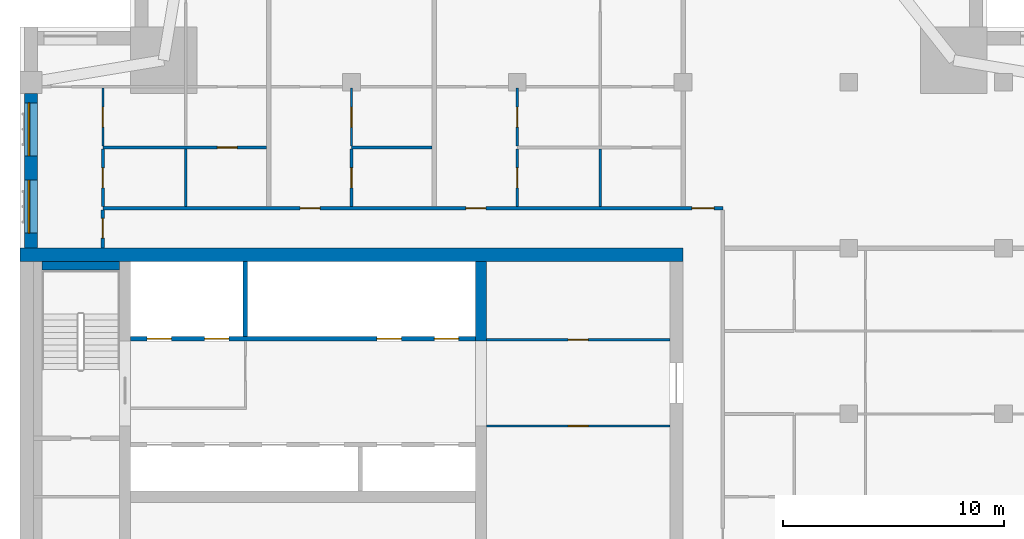
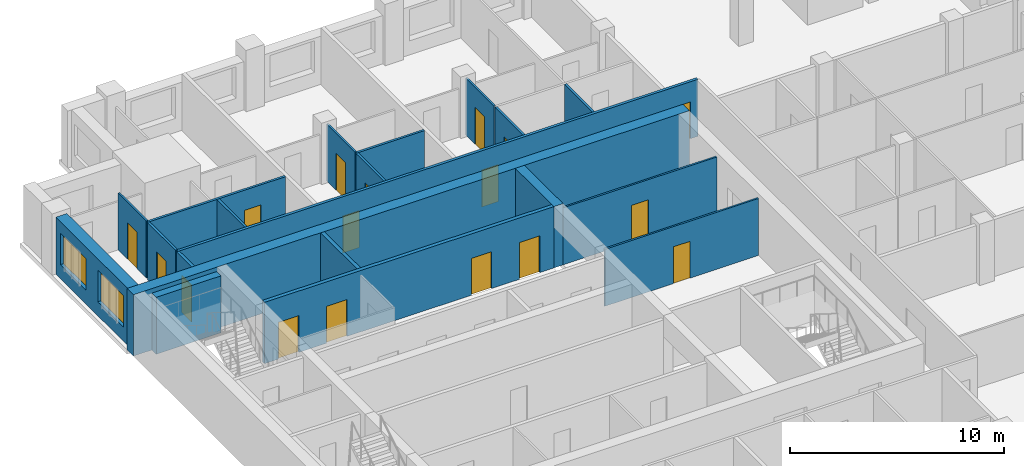
# One storey, part 6 of 10: 20 walls, 17 doors, 2 windows, 19 openings.
"""IFC4 building model written with IfcOpenShell, lengths in metres."""

from ifc_helpers import new_model, si_unit, direction, frame, frame_2d, origin, place, context, subcontext, project, spatial, rectangle, extrude, material, layer, layer_set, type_object, element, fill, save


model = new_model("IFC4")

# Units and contexts
model_context = context("Model", 3, precision=1e-05, world=origin(), true_north=direction((0.0, 1.0)))
body_context = subcontext(model_context, "Body", "Model", "MODEL_VIEW")
ifc_project = project(units=[si_unit("LENGTHUNIT", "METRE"), si_unit("AREAUNIT", "SQUARE_METRE"), si_unit("VOLUMEUNIT", "CUBIC_METRE"), si_unit("PLANEANGLEUNIT", "RADIAN"), si_unit("MASSUNIT", "GRAM", prefix="KILO")], contexts=[model_context])

# Site, building, storey
site_placement = place(None, origin())
site = spatial("IfcSite", under=ifc_project, at=site_placement, CompositionType="ELEMENT")
building_placement = place(site_placement, origin())
building = spatial("IfcBuilding", under=site, at=building_placement, Name="Tamorin Gate", CompositionType="ELEMENT")
storey_placement = place(building_placement, frame((0.0, 0.0, 223.199951171875)))
storey = spatial("IfcBuildingStorey", under=building, at=storey_placement, Name="L55", CompositionType="ELEMENT", Elevation=223.199951171875)

# Wall, openings, windows
ifc_material_1 = material(Name="Precast concrete C40/50", Category="concrete")
ifc_layer_1 = layer(ifc_material_1, 0.60009765625)
ifc_layer_set_1 = layer_set([ifc_layer_1], Name="Precast concrete C40/50")
wall_type_1 = type_object("IfcWallType", Name="Board-marked concrete facade panel 600", PredefinedType="SOLIDWALL", material=ifc_layer_set_1)
wall_1_placement = place(storey_placement, frame((30.5, 89.5, 0.0), z_axis=(0.0, 0.0, 1.0), x_axis=(0.0, -1.0, 0.0)))
wall_1 = element("IfcWall", 1, at=wall_1_placement, inside=storey, type_object=wall_type_1, Name="Facade panel", PredefinedType="SOLIDWALL", context=body_context, shape_type="SweptSolid", body=[
    extrude(rectangle(XDim=7.0, YDim=0.60009765625, at=frame_2d((3.5, 0.0))), origin(), (0.0, 0.0, 1.0), 3.25),
])
opening_1_placement = place(wall_1_placement, frame((3.925048828125, 0.0, 0.800048828125)))
opening_1 = element("IfcOpeningElement", 2, at=opening_1_placement, cuts=wall_1, Name="Opening WN1", PredefinedType="OPENING", context=body_context, shape_type="SweptSolid", body=[
    extrude(rectangle(XDim=2.39990234375, YDim=1.800048828125, at=frame_2d((1.199951171875, 0.89990234375))), frame((0.0, 0.31005859375, 0.0), z_axis=(0.0, -1.0, 0.0), x_axis=(1.0, 0.0, 0.0)), (0.0, 0.0, 1.0), 0.6201171875),
])
opening_2_placement = place(wall_1_placement, frame((0.425048828125, 0.0, 0.800048828125)))
opening_2 = element("IfcOpeningElement", 3, at=opening_2_placement, cuts=wall_1, Name="Opening WN1", PredefinedType="OPENING", context=body_context, shape_type="SweptSolid", body=[
    extrude(rectangle(XDim=2.39990234375, YDim=1.800048828125, at=frame_2d((1.199951171875, 0.89990234375))), frame((0.0, 0.31005859375, 0.0), z_axis=(0.0, -1.0, 0.0), x_axis=(1.0, 0.0, 0.0)), (0.0, 0.0, 1.0), 0.6201171875),
])
ifc_material_2 = material(Name="Clear glass in aluminium frame", Category="aluminium")
window_type = type_object("IfcWindowType", Name="Deep-set window 2400x1800", PartitioningType="SINGLE_PANEL", PredefinedType="WINDOW", material=ifc_material_2)
window_1_placement = place(opening_1_placement, origin())
window_1 = element("IfcWindow", 4, at=window_1_placement, inside=storey, type_object=window_type, Name="Deep-set window", OverallHeight=1.800048828125, OverallWidth=2.39990234375, PartitioningType="SINGLE_PANEL", PredefinedType="WINDOW", context=body_context, shape_type="SweptSolid", body=[
    extrude(rectangle(XDim=2.39990234375, YDim=1.800048828125, at=frame_2d((1.199951171875, 0.89990234375))), frame((0.0, -0.070068359375, 0.0), z_axis=(0.0, -1.0, 0.0), x_axis=(1.0, 0.0, 0.0)), (0.0, 0.0, 1.0), 0.06005859375),
])
fill(opening_1, window_1)
window_2_placement = place(opening_2_placement, origin())
window_2 = element("IfcWindow", 5, at=window_2_placement, inside=storey, type_object=window_type, Name="Deep-set window", OverallHeight=1.800048828125, OverallWidth=2.39990234375, PartitioningType="SINGLE_PANEL", PredefinedType="WINDOW", context=body_context, shape_type="SweptSolid", body=[
    extrude(rectangle(XDim=2.39990234375, YDim=1.800048828125, at=frame_2d((1.199951171875, 0.89990234375))), frame((0.0, -0.070068359375, 0.0), z_axis=(0.0, -1.0, 0.0), x_axis=(1.0, 0.0, 0.0)), (0.0, 0.0, 1.0), 0.06005859375),
])
fill(opening_2, window_2)

# Wall, openings, doors
ifc_material_3 = material(Name="Gypsum board partition")
ifc_layer_2 = layer(ifc_material_3, 0.14990234375)
ifc_layer_set_2 = layer_set([ifc_layer_2], Name="Corridor wall 150")
wall_type_2 = type_object("IfcWallType", Name="Corridor wall 150", PredefinedType="PARTITIONING", material=ifc_layer_set_2)
wall_2_placement = place(storey_placement, frame((33.75, 84.300048828125, 0.0), z_axis=(0.0, 0.0, 1.0), x_axis=(1.0, 0.0, 0.0)))
wall_2 = element("IfcWall", 6, at=wall_2_placement, inside=storey, type_object=wall_type_2, Name="Corridor wall 150", PredefinedType="PARTITIONING", context=body_context, shape_type="SweptSolid", body=[
    extrude(rectangle(XDim=28.050048828125, YDim=0.14990234375, at=frame_2d((14.02490234375, 0.0))), origin(), (0.0, 0.0, 1.0), 3.25),
])
opening_3_placement = place(wall_2_placement, frame((8.925048828125, 0.0, 0.0)))
opening_3 = element("IfcOpeningElement", 7, at=opening_3_placement, cuts=wall_2, Name="Opening DR5029", PredefinedType="OPENING", context=body_context, shape_type="SweptSolid", body=[
    extrude(rectangle(XDim=0.89990234375, YDim=2.10009765625, at=frame_2d((0.449951171875, 1.050048828125))), frame((0.0, 0.0849609375, 0.0), z_axis=(0.0, -1.0, 0.0), x_axis=(1.0, 0.0, 0.0)), (0.0, 0.0, 1.0), 0.169921875),
])
opening_4_placement = place(wall_2_placement, frame((16.425048828125, 0.0, 0.0)))
opening_4 = element("IfcOpeningElement", 8, at=opening_4_placement, cuts=wall_2, Name="Opening DR5033", PredefinedType="OPENING", context=body_context, shape_type="SweptSolid", body=[
    extrude(rectangle(XDim=0.89990234375, YDim=2.10009765625, at=frame_2d((0.449951171875, 1.050048828125))), frame((0.0, 0.0849609375, 0.0), z_axis=(0.0, -1.0, 0.0), x_axis=(1.0, 0.0, 0.0)), (0.0, 0.0, 1.0), 0.169921875),
])
opening_5_placement = place(wall_2_placement, frame((26.64990234375, 0.0, 0.0)))
opening_5 = element("IfcOpeningElement", 9, at=opening_5_placement, cuts=wall_2, Name="Opening DR5040", PredefinedType="OPENING", context=body_context, shape_type="SweptSolid", body=[
    extrude(rectangle(XDim=1.0, YDim=2.10009765625, at=frame_2d((0.5, 1.050048828125))), frame((0.0, 0.0849609375, 0.0), z_axis=(0.0, -1.0, 0.0), x_axis=(1.0, 0.0, 0.0)), (0.0, 0.0, 1.0), 0.169921875),
])
ifc_material_4 = material(Name="Timber door leaf", Category="wood")
door_type_1 = type_object("IfcDoorType", Name="Door 1000 x 2100 FD30S", OperationType="NOTDEFINED", PredefinedType="DOOR", material=ifc_material_4)
door_1_placement = place(opening_5_placement, origin())
door_1 = element("IfcDoor", 10, at=door_1_placement, inside=storey, type_object=door_type_1, Name="Door DR5040", OperationType="SINGLE_SWING_LEFT", OverallHeight=2.10009765625, OverallWidth=1.0, PredefinedType="DOOR", context=body_context, shape_type="SweptSolid", body=[
    extrude(rectangle(XDim=1.0, YDim=2.10009765625, at=frame_2d((0.5, 1.050048828125))), frame((0.0, 0.02490234375, 0.0), z_axis=(0.0, -1.0, 0.0), x_axis=(1.0, 0.0, 0.0)), (0.0, 0.0, 1.0), 0.050048828125),
])
fill(opening_5, door_1)
door_type_2 = type_object("IfcDoorType", Name="Door 900 x 2100 FD30S", OperationType="NOTDEFINED", PredefinedType="DOOR", material=ifc_material_4)
door_2_placement = place(opening_3_placement, origin())
door_2 = element("IfcDoor", 11, at=door_2_placement, inside=storey, type_object=door_type_2, Name="Door DR5029", OperationType="SINGLE_SWING_LEFT", OverallHeight=2.10009765625, OverallWidth=0.89990234375, PredefinedType="DOOR", context=body_context, shape_type="SweptSolid", body=[
    extrude(rectangle(XDim=0.89990234375, YDim=2.10009765625, at=frame_2d((0.449951171875, 1.050048828125))), frame((0.0, 0.02490234375, 0.0), z_axis=(0.0, -1.0, 0.0), x_axis=(1.0, 0.0, 0.0)), (0.0, 0.0, 1.0), 0.050048828125),
])
fill(opening_3, door_2)
door_3_placement = place(opening_4_placement, origin())
door_3 = element("IfcDoor", 12, at=door_3_placement, inside=storey, type_object=door_type_2, Name="Door DR5033", OperationType="SINGLE_SWING_LEFT", OverallHeight=2.10009765625, OverallWidth=0.89990234375, PredefinedType="DOOR", context=body_context, shape_type="SweptSolid", body=[
    extrude(rectangle(XDim=0.89990234375, YDim=2.10009765625, at=frame_2d((0.449951171875, 1.050048828125))), frame((0.0, 0.02490234375, 0.0), z_axis=(0.0, -1.0, 0.0), x_axis=(1.0, 0.0, 0.0)), (0.0, 0.0, 1.0), 0.050048828125),
])
fill(opening_4, door_3)

# Wall, opening, door
wall_3_placement = place(storey_placement, frame((33.75, 82.5, 0.0), z_axis=(0.0, 0.0, 1.0), x_axis=(0.0, 1.0, 0.0)))
wall_3 = element("IfcWall", 13, at=wall_3_placement, inside=storey, type_object=wall_type_2, Name="Corridor wall 150", PredefinedType="PARTITIONING", context=body_context, shape_type="SweptSolid", body=[
    extrude(rectangle(XDim=1.72509765625, YDim=0.14990234375, at=frame_2d((0.862548828125, 0.0))), origin(), (0.0, 0.0, 1.0), 3.25),
])
opening_6_placement = place(wall_3_placement, frame((0.449951171875, 0.0, 0.0)))
opening_6 = element("IfcOpeningElement", 14, at=opening_6_placement, cuts=wall_3, Name="Opening DR5022", PredefinedType="OPENING", context=body_context, shape_type="SweptSolid", body=[
    extrude(rectangle(XDim=0.89990234375, YDim=2.10009765625, at=frame_2d((0.449951171875, 1.050048828125))), frame((0.0, 0.0849609375, 0.0), z_axis=(0.0, -1.0, 0.0), x_axis=(1.0, 0.0, 0.0)), (0.0, 0.0, 1.0), 0.169921875),
])
door_4_placement = place(opening_6_placement, origin())
door_4 = element("IfcDoor", 15, at=door_4_placement, inside=storey, type_object=door_type_2, Name="Door DR5022", OperationType="SINGLE_SWING_LEFT", OverallHeight=2.10009765625, OverallWidth=0.89990234375, PredefinedType="DOOR", context=body_context, shape_type="SweptSolid", body=[
    extrude(rectangle(XDim=0.89990234375, YDim=2.10009765625, at=frame_2d((0.449951171875, 1.050048828125))), frame((0.0, 0.02490234375, 0.0), z_axis=(0.0, -1.0, 0.0), x_axis=(1.0, 0.0, 0.0)), (0.0, 0.0, 1.0), 0.050048828125),
])
fill(opening_6, door_4)

# Wall, openings, doors
ifc_material_5 = material(Name="Concrete C32/40", Category="concrete")
ifc_layer_3 = layer(ifc_material_5, 0.199951171875)
ifc_layer_set_3 = layer_set([ifc_layer_3], Name="Lift lobby face wall 200 EI 120")
wall_type_3 = type_object("IfcWallType", Name="Lift lobby face wall 200 EI 120", PredefinedType="SOLIDWALL", material=ifc_layer_set_3)
wall_4_placement = place(storey_placement, frame((35.0, 78.39990234375, 0.0), z_axis=(0.0, 0.0, 1.0), x_axis=(1.0, 0.0, 0.0)))
wall_4 = element("IfcWall", 16, at=wall_4_placement, inside=storey, type_object=wall_type_3, Name="Lift lobby face wall", PredefinedType="SOLIDWALL", context=body_context, shape_type="SweptSolid", body=[
    extrude(rectangle(XDim=15.60009765625, YDim=0.199951171875, at=frame_2d((7.800048828125, 0.0))), origin(), (0.0, 0.0, 1.0), 3.5),
])
opening_7_placement = place(wall_4_placement, frame((0.75, 0.0, 0.0)))
opening_7 = element("IfcOpeningElement", 17, at=opening_7_placement, cuts=wall_4, Name="Opening LD17", PredefinedType="OPENING", context=body_context, shape_type="SweptSolid", body=[
    extrude(rectangle(XDim=1.10009765625, YDim=2.10009765625, at=frame_2d((0.550048828125, 1.050048828125))), frame((0.0, 0.10986328125, 0.0), z_axis=(0.0, -1.0, 0.0), x_axis=(1.0, 0.0, 0.0)), (0.0, 0.0, 1.0), 0.219970703125),
])
opening_8_placement = place(wall_4_placement, frame((3.35009765625, 0.0, 0.0)))
opening_8 = element("IfcOpeningElement", 18, at=opening_8_placement, cuts=wall_4, Name="Opening LD18", PredefinedType="OPENING", context=body_context, shape_type="SweptSolid", body=[
    extrude(rectangle(XDim=1.10009765625, YDim=2.10009765625, at=frame_2d((0.550048828125, 1.050048828125))), frame((0.0, 0.10986328125, 0.0), z_axis=(0.0, -1.0, 0.0), x_axis=(1.0, 0.0, 0.0)), (0.0, 0.0, 1.0), 0.219970703125),
])
opening_9_placement = place(wall_4_placement, frame((11.14990234375, 0.0, 0.0)))
opening_9 = element("IfcOpeningElement", 19, at=opening_9_placement, cuts=wall_4, Name="Opening LD21", PredefinedType="OPENING", context=body_context, shape_type="SweptSolid", body=[
    extrude(rectangle(XDim=1.10009765625, YDim=2.10009765625, at=frame_2d((0.550048828125, 1.050048828125))), frame((0.0, 0.10986328125, 0.0), z_axis=(0.0, -1.0, 0.0), x_axis=(1.0, 0.0, 0.0)), (0.0, 0.0, 1.0), 0.219970703125),
])
opening_10_placement = place(wall_4_placement, frame((13.75, 0.0, 0.0)))
opening_10 = element("IfcOpeningElement", 20, at=opening_10_placement, cuts=wall_4, Name="Opening LD22", PredefinedType="OPENING", context=body_context, shape_type="SweptSolid", body=[
    extrude(rectangle(XDim=1.10009765625, YDim=2.10009765625, at=frame_2d((0.550048828125, 1.050048828125))), frame((0.0, 0.10986328125, 0.0), z_axis=(0.0, -1.0, 0.0), x_axis=(1.0, 0.0, 0.0)), (0.0, 0.0, 1.0), 0.219970703125),
])
ifc_material_6 = material(Name="Stainless steel sliding door", Category="steel")
door_type_3 = type_object("IfcDoorType", Name="Lift landing door 1100 x 2100 E 90", OperationType="DOUBLE_DOOR_SLIDING", PredefinedType="DOOR", material=ifc_material_6)
door_5_placement = place(opening_7_placement, origin())
door_5 = element("IfcDoor", 21, at=door_5_placement, inside=storey, type_object=door_type_3, Name="FF1 landing door", OperationType="DOUBLE_DOOR_SLIDING", OverallHeight=2.10009765625, OverallWidth=1.10009765625, PredefinedType="DOOR", context=body_context, shape_type="SweptSolid", body=[
    extrude(rectangle(XDim=1.10009765625, YDim=2.10009765625, at=frame_2d((0.550048828125, 1.050048828125))), frame((0.0, 0.02490234375, 0.0), z_axis=(0.0, -1.0, 0.0), x_axis=(1.0, 0.0, 0.0)), (0.0, 0.0, 1.0), 0.050048828125),
])
fill(opening_7, door_5)
door_6_placement = place(opening_8_placement, origin())
door_6 = element("IfcDoor", 22, at=door_6_placement, inside=storey, type_object=door_type_3, Name="FF2 landing door", OperationType="DOUBLE_DOOR_SLIDING", OverallHeight=2.10009765625, OverallWidth=1.10009765625, PredefinedType="DOOR", context=body_context, shape_type="SweptSolid", body=[
    extrude(rectangle(XDim=1.10009765625, YDim=2.10009765625, at=frame_2d((0.550048828125, 1.050048828125))), frame((0.0, 0.02490234375, 0.0), z_axis=(0.0, -1.0, 0.0), x_axis=(1.0, 0.0, 0.0)), (0.0, 0.0, 1.0), 0.050048828125),
])
fill(opening_8, door_6)
door_7_placement = place(opening_9_placement, origin())
door_7 = element("IfcDoor", 23, at=door_7_placement, inside=storey, type_object=door_type_3, Name="SV1 landing door", OperationType="DOUBLE_DOOR_SLIDING", OverallHeight=2.10009765625, OverallWidth=1.10009765625, PredefinedType="DOOR", context=body_context, shape_type="SweptSolid", body=[
    extrude(rectangle(XDim=1.10009765625, YDim=2.10009765625, at=frame_2d((0.550048828125, 1.050048828125))), frame((0.0, 0.02490234375, 0.0), z_axis=(0.0, -1.0, 0.0), x_axis=(1.0, 0.0, 0.0)), (0.0, 0.0, 1.0), 0.050048828125),
])
fill(opening_9, door_7)
door_8_placement = place(opening_10_placement, origin())
door_8 = element("IfcDoor", 24, at=door_8_placement, inside=storey, type_object=door_type_3, Name="SV2 landing door", OperationType="DOUBLE_DOOR_SLIDING", OverallHeight=2.10009765625, OverallWidth=1.10009765625, PredefinedType="DOOR", context=body_context, shape_type="SweptSolid", body=[
    extrude(rectangle(XDim=1.10009765625, YDim=2.10009765625, at=frame_2d((0.550048828125, 1.050048828125))), frame((0.0, 0.02490234375, 0.0), z_axis=(0.0, -1.0, 0.0), x_axis=(1.0, 0.0, 0.0)), (0.0, 0.0, 1.0), 0.050048828125),
])
fill(opening_10, door_8)

# Walls
ifc_layer_4 = layer(ifc_material_5, 0.199951171875)
ifc_layer_set_4 = layer_set([ifc_layer_4], Name="Lift shaft wall 200 EI 120")
wall_type_4 = type_object("IfcWallType", Name="Lift shaft wall 200 EI 120", PredefinedType="SOLIDWALL", material=ifc_layer_set_4)
wall_5_placement = place(storey_placement, frame((40.199951171875, 78.5, 0.0), z_axis=(0.0, 0.0, 1.0), x_axis=(0.0, 1.0, 0.0)))
element("IfcWall", 25, at=wall_5_placement, inside=storey, type_object=wall_type_4, Name="Lift shaft wall", PredefinedType="SOLIDWALL", context=body_context, shape_type="SweptSolid", body=[
    extrude(rectangle(XDim=3.39990234375, YDim=0.199951171875, at=frame_2d((1.699951171875, 0.0))), origin(), (0.0, 0.0, 1.0), 3.5),
])
ifc_material_7 = material(Name="Concrete C50/60", Category="concrete")
ifc_layer_5 = layer(ifc_material_7, 0.5)
ifc_layer_set_5 = layer_set([ifc_layer_5], Name="RC core internal wall 500 C50/60")
wall_type_5 = type_object("IfcWallType", Name="RC core internal wall 500 C50/60", PredefinedType="SHEAR", material=ifc_layer_set_5)
wall_6_placement = place(storey_placement, frame((50.85009765625, 78.300048828125, 0.0), z_axis=(0.0, 0.0, 1.0), x_axis=(0.0, 1.0, 0.0)))
element("IfcWall", 26, at=wall_6_placement, inside=storey, type_object=wall_type_5, Name="Core cross wall L55", PredefinedType="SHEAR", context=body_context, shape_type="SweptSolid", body=[
    extrude(rectangle(XDim=3.599853515625, YDim=0.5, at=frame_2d((1.7998046875, 0.0))), origin(), (0.0, 0.0, 1.0), 3.5),
])
ifc_layer_6 = layer(ifc_material_7, 0.60009765625)
ifc_layer_set_6 = layer_set([ifc_layer_6], Name="RC core wall 600 C50/60")
wall_type_6 = type_object("IfcWallType", Name="RC core wall 600 C50/60", PredefinedType="SHEAR", material=ifc_layer_set_6)
wall_7_placement = place(storey_placement, frame((30.0, 82.199951171875, 0.0), z_axis=(0.0, 0.0, 1.0), x_axis=(1.0, 0.0, 0.0)))
element("IfcWall", 27, at=wall_7_placement, inside=storey, type_object=wall_type_6, Name="Core wall L55", PredefinedType="SHEAR", context=body_context, shape_type="SweptSolid", body=[
    extrude(rectangle(XDim=30.0, YDim=0.60009765625, at=frame_2d((15.0, 0.0))), origin(), (0.0, 0.0, 1.0), 3.5),
])

# Wall, opening, door
ifc_layer_7 = layer(ifc_material_3, 0.10009765625)
ifc_layer_set_7 = layer_set([ifc_layer_7], Name="Room partition 100")
wall_type_7 = type_object("IfcWallType", Name="Room partition 100", PredefinedType="PARTITIONING", material=ifc_layer_set_7)
wall_8_placement = place(storey_placement, frame((33.75, 87.112548828125, 0.0), z_axis=(0.0, 0.0, 1.0), x_axis=(0.0, 1.0, 0.0)))
wall_8 = element("IfcWall", 28, at=wall_8_placement, inside=storey, type_object=wall_type_7, Name="Room partition 100", PredefinedType="PARTITIONING", context=body_context, shape_type="SweptSolid", body=[
    extrude(rectangle(XDim=2.637451171875, YDim=0.10009765625, at=frame_2d((1.31884765625, 0.0))), origin(), (0.0, 0.0, 1.0), 3.25),
])
opening_11_placement = place(wall_8_placement, frame((0.862548828125, 0.0, 0.0)))
opening_11 = element("IfcOpeningElement", 29, at=opening_11_placement, cuts=wall_8, Name="Opening DR5024", PredefinedType="OPENING", context=body_context, shape_type="SweptSolid", body=[
    extrude(rectangle(XDim=0.89990234375, YDim=2.10009765625, at=frame_2d((0.449951171875, 1.050048828125))), frame((0.0, 0.06005859375, 0.0), z_axis=(0.0, -1.0, 0.0), x_axis=(1.0, 0.0, 0.0)), (0.0, 0.0, 1.0), 0.1201171875),
])
door_type_4 = type_object("IfcDoorType", Name="Door 900 x 2100", OperationType="NOTDEFINED", PredefinedType="DOOR", material=ifc_material_4)
door_9_placement = place(opening_11_placement, origin())
door_9 = element("IfcDoor", 30, at=door_9_placement, inside=storey, type_object=door_type_4, Name="Door DR5024", OperationType="SINGLE_SWING_RIGHT", OverallHeight=2.10009765625, OverallWidth=0.89990234375, PredefinedType="DOOR", context=body_context, shape_type="SweptSolid", body=[
    extrude(rectangle(XDim=0.89990234375, YDim=2.10009765625, at=frame_2d((0.449951171875, 1.050048828125))), frame((0.0, 0.02490234375, 0.0), z_axis=(0.0, -1.0, 0.0), x_axis=(1.0, 0.0, 0.0)), (0.0, 0.0, 1.0), 0.050048828125),
])
fill(opening_11, door_9)

wall_9_placement = place(storey_placement, frame((45.0, 87.112548828125, 0.0), z_axis=(0.0, 0.0, 1.0), x_axis=(0.0, 1.0, 0.0)))
wall_9 = element("IfcWall", 31, at=wall_9_placement, inside=storey, type_object=wall_type_7, Name="Room partition 100", PredefinedType="PARTITIONING", context=body_context, shape_type="SweptSolid", body=[
    extrude(rectangle(XDim=2.637451171875, YDim=0.10009765625, at=frame_2d((1.31884765625, 0.0))), origin(), (0.0, 0.0, 1.0), 3.25),
])
opening_12_placement = place(wall_9_placement, frame((0.862548828125, 0.0, 0.0)))
opening_12 = element("IfcOpeningElement", 32, at=opening_12_placement, cuts=wall_9, Name="Opening DR5031", PredefinedType="OPENING", context=body_context, shape_type="SweptSolid", body=[
    extrude(rectangle(XDim=0.89990234375, YDim=2.10009765625, at=frame_2d((0.449951171875, 1.050048828125))), frame((0.0, 0.06005859375, 0.0), z_axis=(0.0, -1.0, 0.0), x_axis=(1.0, 0.0, 0.0)), (0.0, 0.0, 1.0), 0.1201171875),
])
door_10_placement = place(opening_12_placement, origin())
door_10 = element("IfcDoor", 33, at=door_10_placement, inside=storey, type_object=door_type_4, Name="Door DR5031", OperationType="SINGLE_SWING_RIGHT", OverallHeight=2.10009765625, OverallWidth=0.89990234375, PredefinedType="DOOR", context=body_context, shape_type="SweptSolid", body=[
    extrude(rectangle(XDim=0.89990234375, YDim=2.10009765625, at=frame_2d((0.449951171875, 1.050048828125))), frame((0.0, 0.02490234375, 0.0), z_axis=(0.0, -1.0, 0.0), x_axis=(1.0, 0.0, 0.0)), (0.0, 0.0, 1.0), 0.050048828125),
])
fill(opening_12, door_10)

wall_10_placement = place(storey_placement, frame((52.5, 87.112548828125, 0.0), z_axis=(0.0, 0.0, 1.0), x_axis=(0.0, 1.0, 0.0)))
wall_10 = element("IfcWall", 34, at=wall_10_placement, inside=storey, type_object=wall_type_7, Name="Room partition 100", PredefinedType="PARTITIONING", context=body_context, shape_type="SweptSolid", body=[
    extrude(rectangle(XDim=2.637451171875, YDim=0.10009765625, at=frame_2d((1.31884765625, 0.0))), origin(), (0.0, 0.0, 1.0), 3.25),
])
opening_13_placement = place(wall_10_placement, frame((0.862548828125, 0.0, 0.0)))
opening_13 = element("IfcOpeningElement", 35, at=opening_13_placement, cuts=wall_10, Name="Opening DR5035", PredefinedType="OPENING", context=body_context, shape_type="SweptSolid", body=[
    extrude(rectangle(XDim=0.89990234375, YDim=2.10009765625, at=frame_2d((0.449951171875, 1.050048828125))), frame((0.0, 0.06005859375, 0.0), z_axis=(0.0, -1.0, 0.0), x_axis=(1.0, 0.0, 0.0)), (0.0, 0.0, 1.0), 0.1201171875),
])
door_11_placement = place(opening_13_placement, origin())
door_11 = element("IfcDoor", 36, at=door_11_placement, inside=storey, type_object=door_type_4, Name="Door DR5035", OperationType="SINGLE_SWING_RIGHT", OverallHeight=2.10009765625, OverallWidth=0.89990234375, PredefinedType="DOOR", context=body_context, shape_type="SweptSolid", body=[
    extrude(rectangle(XDim=0.89990234375, YDim=2.10009765625, at=frame_2d((0.449951171875, 1.050048828125))), frame((0.0, 0.02490234375, 0.0), z_axis=(0.0, -1.0, 0.0), x_axis=(1.0, 0.0, 0.0)), (0.0, 0.0, 1.0), 0.050048828125),
])
fill(opening_13, door_11)

ifc_layer_8 = layer(ifc_material_3, 0.10009765625)
ifc_layer_set_8 = layer_set([ifc_layer_8], Name="Service room partition 100 EI 60")
wall_type_8 = type_object("IfcWallType", Name="Service room partition 100 EI 60", PredefinedType="PARTITIONING", material=ifc_layer_set_8)
wall_11_placement = place(storey_placement, frame((51.10009765625, 74.449951171875, 0.0), z_axis=(0.0, 0.0, 1.0), x_axis=(1.0, 0.0, 0.0)))
wall_11 = element("IfcWall", 37, at=wall_11_placement, inside=storey, type_object=wall_type_8, Name="Service room wall", PredefinedType="PARTITIONING", context=body_context, shape_type="SweptSolid", body=[
    extrude(rectangle(XDim=8.2998046875, YDim=0.10009765625, at=frame_2d((4.14990234375, 0.0))), origin(), (0.0, 0.0, 1.0), 3.25),
])
opening_14_placement = place(wall_11_placement, frame((3.699951171875, 0.0, 0.0)))
opening_14 = element("IfcOpeningElement", 38, at=opening_14_placement, cuts=wall_11, Name="Opening DR1", PredefinedType="OPENING", context=body_context, shape_type="SweptSolid", body=[
    extrude(rectangle(XDim=0.89990234375, YDim=2.10009765625, at=frame_2d((0.449951171875, 1.050048828125))), frame((0.0, 0.06005859375, 0.0), z_axis=(0.0, -1.0, 0.0), x_axis=(1.0, 0.0, 0.0)), (0.0, 0.0, 1.0), 0.1201171875),
])
ifc_material_8 = material(Name="Steel fire door", Category="steel")
door_type_5 = type_object("IfcDoorType", Name="Riser access door 900 x 2100 EI 120", OperationType="SINGLE_SWING_LEFT", PredefinedType="DOOR", material=ifc_material_8)
door_12_placement = place(opening_14_placement, origin())
door_12 = element("IfcDoor", 39, at=door_12_placement, inside=storey, type_object=door_type_5, Name="Duct riser door", OperationType="SINGLE_SWING_LEFT", OverallHeight=2.10009765625, OverallWidth=0.89990234375, PredefinedType="DOOR", context=body_context, shape_type="SweptSolid", body=[
    extrude(rectangle(XDim=0.89990234375, YDim=2.10009765625, at=frame_2d((0.449951171875, 1.050048828125))), frame((0.0, 0.02490234375, 0.0), z_axis=(0.0, -1.0, 0.0), x_axis=(1.0, 0.0, 0.0)), (0.0, 0.0, 1.0), 0.050048828125),
])
fill(opening_14, door_12)

wall_12_placement = place(storey_placement, frame((51.10009765625, 78.35009765625, 0.0), z_axis=(0.0, 0.0, 1.0), x_axis=(1.0, 0.0, 0.0)))
wall_12 = element("IfcWall", 40, at=wall_12_placement, inside=storey, type_object=wall_type_8, Name="Service room wall", PredefinedType="PARTITIONING", context=body_context, shape_type="SweptSolid", body=[
    extrude(rectangle(XDim=8.2998046875, YDim=0.10009765625, at=frame_2d((4.14990234375, 0.0))), origin(), (0.0, 0.0, 1.0), 3.25),
])
opening_15_placement = place(wall_12_placement, frame((3.699951171875, 0.0, 0.0)))
opening_15 = element("IfcOpeningElement", 41, at=opening_15_placement, cuts=wall_12, Name="Opening DK1", PredefinedType="OPENING", context=body_context, shape_type="SweptSolid", body=[
    extrude(rectangle(XDim=0.89990234375, YDim=2.10009765625, at=frame_2d((0.449951171875, 1.050048828125))), frame((0.0, 0.06005859375, 0.0), z_axis=(0.0, -1.0, 0.0), x_axis=(1.0, 0.0, 0.0)), (0.0, 0.0, 1.0), 0.1201171875),
])
ifc_material_9 = material(Name="Timber fire door", Category="wood")
door_type_6 = type_object("IfcDoorType", Name="Service room door 900 x 2100 EI 60", OperationType="SINGLE_SWING_LEFT", PredefinedType="DOOR", material=ifc_material_9)
door_13_placement = place(opening_15_placement, origin())
door_13 = element("IfcDoor", 42, at=door_13_placement, inside=storey, type_object=door_type_6, Name="Door Store", OperationType="SINGLE_SWING_LEFT", OverallHeight=2.10009765625, OverallWidth=0.89990234375, PredefinedType="DOOR", context=body_context, shape_type="SweptSolid", body=[
    extrude(rectangle(XDim=0.89990234375, YDim=2.10009765625, at=frame_2d((0.449951171875, 1.050048828125))), frame((0.0, 0.02490234375, 0.0), z_axis=(0.0, -1.0, 0.0), x_axis=(1.0, 0.0, 0.0)), (0.0, 0.0, 1.0), 0.050048828125),
])
fill(opening_15, door_13)

# Wall
ifc_layer_9 = layer(ifc_material_7, 0.39990234375)
ifc_layer_set_9 = layer_set([ifc_layer_9], Name="Stair lining wall 400 EI 120 C50/60")
wall_type_9 = type_object("IfcWallType", Name="Stair lining wall 400 EI 120 C50/60", PredefinedType="SOLIDWALL", material=ifc_layer_set_9)
wall_13_placement = place(storey_placement, frame((31.0, 81.699951171875, 0.0), z_axis=(0.0, 0.0, 1.0), x_axis=(1.0, 0.0, 0.0)))
element("IfcWall", 43, at=wall_13_placement, inside=storey, type_object=wall_type_9, Name="Stair lining wall", PredefinedType="SOLIDWALL", context=body_context, shape_type="SweptSolid", body=[
    extrude(rectangle(XDim=3.5, YDim=0.39990234375, at=frame_2d((1.75, 0.0))), origin(), (0.0, 0.0, 1.0), 3.25),
])

# Wall, opening, door
ifc_layer_10 = layer(ifc_material_3, 0.125)
ifc_layer_set_10 = layer_set([ifc_layer_10], Name="Wet wall 125")
wall_type_10 = type_object("IfcWallType", Name="Wet wall 125", PredefinedType="PARTITIONING", material=ifc_layer_set_10)
wall_14_placement = place(storey_placement, frame((33.75, 87.050048828125, 0.0), z_axis=(0.0, 0.0, 1.0), x_axis=(1.0, 0.0, 0.0)))
wall_14 = element("IfcWall", 44, at=wall_14_placement, inside=storey, type_object=wall_type_10, Name="Wet wall 125", PredefinedType="PARTITIONING", context=body_context, shape_type="SweptSolid", body=[
    extrude(rectangle(XDim=7.39990234375, YDim=0.125, at=frame_2d((3.699951171875, 0.0))), origin(), (0.0, 0.0, 1.0), 3.25),
])
opening_16_placement = place(wall_14_placement, frame((5.175048828125, 0.0, 0.0)))
opening_16 = element("IfcOpeningElement", 45, at=opening_16_placement, cuts=wall_14, Name="Opening DR5027", PredefinedType="OPENING", context=body_context, shape_type="SweptSolid", body=[
    extrude(rectangle(XDim=0.89990234375, YDim=2.10009765625, at=frame_2d((0.449951171875, 1.050048828125))), frame((0.0, 0.072509765625, 0.0), z_axis=(0.0, -1.0, 0.0), x_axis=(1.0, 0.0, 0.0)), (0.0, 0.0, 1.0), 0.14501953125),
])
door_14_placement = place(opening_16_placement, origin())
door_14 = element("IfcDoor", 46, at=door_14_placement, inside=storey, type_object=door_type_4, Name="Door DR5027", OperationType="SINGLE_SWING_RIGHT", OverallHeight=2.10009765625, OverallWidth=0.89990234375, PredefinedType="DOOR", context=body_context, shape_type="SweptSolid", body=[
    extrude(rectangle(XDim=0.89990234375, YDim=2.10009765625, at=frame_2d((0.449951171875, 1.050048828125))), frame((0.0, 0.02490234375, 0.0), z_axis=(0.0, -1.0, 0.0), x_axis=(1.0, 0.0, 0.0)), (0.0, 0.0, 1.0), 0.050048828125),
])
fill(opening_16, door_14)

# Wall
wall_15_placement = place(storey_placement, frame((45.0, 87.050048828125, 0.0), z_axis=(0.0, 0.0, 1.0), x_axis=(1.0, 0.0, 0.0)))
element("IfcWall", 47, at=wall_15_placement, inside=storey, type_object=wall_type_10, Name="Wet wall 125", PredefinedType="PARTITIONING", context=body_context, shape_type="SweptSolid", body=[
    extrude(rectangle(XDim=3.64990234375, YDim=0.125, at=frame_2d((1.824951171875, 0.0))), origin(), (0.0, 0.0, 1.0), 3.25),
])

# Wall, opening, door
wall_16_placement = place(storey_placement, frame((33.75, 84.375, 0.0), z_axis=(0.0, 0.0, 1.0), x_axis=(0.0, 1.0, 0.0)))
wall_16 = element("IfcWall", 48, at=wall_16_placement, inside=storey, type_object=wall_type_10, Name="Wet wall 125", PredefinedType="PARTITIONING", context=body_context, shape_type="SweptSolid", body=[
    extrude(rectangle(XDim=2.612548828125, YDim=0.125, at=frame_2d((1.30615234375, 0.0))), origin(), (0.0, 0.0, 1.0), 3.25),
])
opening_17_placement = place(wall_16_placement, frame((0.85009765625, 0.0, 0.0)))
opening_17 = element("IfcOpeningElement", 49, at=opening_17_placement, cuts=wall_16, Name="Opening DR5025", PredefinedType="OPENING", context=body_context, shape_type="SweptSolid", body=[
    extrude(rectangle(XDim=0.89990234375, YDim=2.10009765625, at=frame_2d((0.449951171875, 1.050048828125))), frame((0.0, 0.072509765625, 0.0), z_axis=(0.0, -1.0, 0.0), x_axis=(1.0, 0.0, 0.0)), (0.0, 0.0, 1.0), 0.14501953125),
])
door_15_placement = place(opening_17_placement, origin())
door_15 = element("IfcDoor", 50, at=door_15_placement, inside=storey, type_object=door_type_4, Name="Door DR5025", OperationType="SINGLE_SWING_RIGHT", OverallHeight=2.10009765625, OverallWidth=0.89990234375, PredefinedType="DOOR", context=body_context, shape_type="SweptSolid", body=[
    extrude(rectangle(XDim=0.89990234375, YDim=2.10009765625, at=frame_2d((0.449951171875, 1.050048828125))), frame((0.0, 0.02490234375, 0.0), z_axis=(0.0, -1.0, 0.0), x_axis=(1.0, 0.0, 0.0)), (0.0, 0.0, 1.0), 0.050048828125),
])
fill(opening_17, door_15)

# Wall
wall_17_placement = place(storey_placement, frame((37.5, 84.375, 0.0), z_axis=(0.0, 0.0, 1.0), x_axis=(0.0, 1.0, 0.0)))
element("IfcWall", 51, at=wall_17_placement, inside=storey, type_object=wall_type_10, Name="Wet wall 125", PredefinedType="PARTITIONING", context=body_context, shape_type="SweptSolid", body=[
    extrude(rectangle(XDim=2.612548828125, YDim=0.125, at=frame_2d((1.30615234375, 0.0))), origin(), (0.0, 0.0, 1.0), 3.25),
])

# Wall, opening, door
wall_18_placement = place(storey_placement, frame((45.0, 84.375, 0.0), z_axis=(0.0, 0.0, 1.0), x_axis=(0.0, 1.0, 0.0)))
wall_18 = element("IfcWall", 52, at=wall_18_placement, inside=storey, type_object=wall_type_10, Name="Wet wall 125", PredefinedType="PARTITIONING", context=body_context, shape_type="SweptSolid", body=[
    extrude(rectangle(XDim=2.612548828125, YDim=0.125, at=frame_2d((1.30615234375, 0.0))), origin(), (0.0, 0.0, 1.0), 3.25),
])
opening_18_placement = place(wall_18_placement, frame((0.85009765625, 0.0, 0.0)))
opening_18 = element("IfcOpeningElement", 53, at=opening_18_placement, cuts=wall_18, Name="Opening DR5032", PredefinedType="OPENING", context=body_context, shape_type="SweptSolid", body=[
    extrude(rectangle(XDim=0.89990234375, YDim=2.10009765625, at=frame_2d((0.449951171875, 1.050048828125))), frame((0.0, 0.072509765625, 0.0), z_axis=(0.0, -1.0, 0.0), x_axis=(1.0, 0.0, 0.0)), (0.0, 0.0, 1.0), 0.14501953125),
])
door_16_placement = place(opening_18_placement, origin())
door_16 = element("IfcDoor", 54, at=door_16_placement, inside=storey, type_object=door_type_4, Name="Door DR5032", OperationType="SINGLE_SWING_RIGHT", OverallHeight=2.10009765625, OverallWidth=0.89990234375, PredefinedType="DOOR", context=body_context, shape_type="SweptSolid", body=[
    extrude(rectangle(XDim=0.89990234375, YDim=2.10009765625, at=frame_2d((0.449951171875, 1.050048828125))), frame((0.0, 0.02490234375, 0.0), z_axis=(0.0, -1.0, 0.0), x_axis=(1.0, 0.0, 0.0)), (0.0, 0.0, 1.0), 0.050048828125),
])
fill(opening_18, door_16)

wall_19_placement = place(storey_placement, frame((52.5, 84.375, 0.0), z_axis=(0.0, 0.0, 1.0), x_axis=(0.0, 1.0, 0.0)))
wall_19 = element("IfcWall", 55, at=wall_19_placement, inside=storey, type_object=wall_type_10, Name="Wet wall 125", PredefinedType="PARTITIONING", context=body_context, shape_type="SweptSolid", body=[
    extrude(rectangle(XDim=2.612548828125, YDim=0.125, at=frame_2d((1.30615234375, 0.0))), origin(), (0.0, 0.0, 1.0), 3.25),
])
opening_19_placement = place(wall_19_placement, frame((0.85009765625, 0.0, 0.0)))
opening_19 = element("IfcOpeningElement", 56, at=opening_19_placement, cuts=wall_19, Name="Opening DR5036", PredefinedType="OPENING", context=body_context, shape_type="SweptSolid", body=[
    extrude(rectangle(XDim=0.89990234375, YDim=2.10009765625, at=frame_2d((0.449951171875, 1.050048828125))), frame((0.0, 0.072509765625, 0.0), z_axis=(0.0, -1.0, 0.0), x_axis=(1.0, 0.0, 0.0)), (0.0, 0.0, 1.0), 0.14501953125),
])
door_17_placement = place(opening_19_placement, origin())
door_17 = element("IfcDoor", 57, at=door_17_placement, inside=storey, type_object=door_type_4, Name="Door DR5036", OperationType="SINGLE_SWING_RIGHT", OverallHeight=2.10009765625, OverallWidth=0.89990234375, PredefinedType="DOOR", context=body_context, shape_type="SweptSolid", body=[
    extrude(rectangle(XDim=0.89990234375, YDim=2.10009765625, at=frame_2d((0.449951171875, 1.050048828125))), frame((0.0, 0.02490234375, 0.0), z_axis=(0.0, -1.0, 0.0), x_axis=(1.0, 0.0, 0.0)), (0.0, 0.0, 1.0), 0.050048828125),
])
fill(opening_19, door_17)

# Wall
wall_20_placement = place(storey_placement, frame((56.25, 84.375, 0.0), z_axis=(0.0, 0.0, 1.0), x_axis=(0.0, 1.0, 0.0)))
element("IfcWall", 58, at=wall_20_placement, inside=storey, type_object=wall_type_10, Name="Wet wall 125", PredefinedType="PARTITIONING", context=body_context, shape_type="SweptSolid", body=[
    extrude(rectangle(XDim=2.612548828125, YDim=0.125, at=frame_2d((1.30615234375, 0.0))), origin(), (0.0, 0.0, 1.0), 3.25),
])

save(model, "model.ifc")
